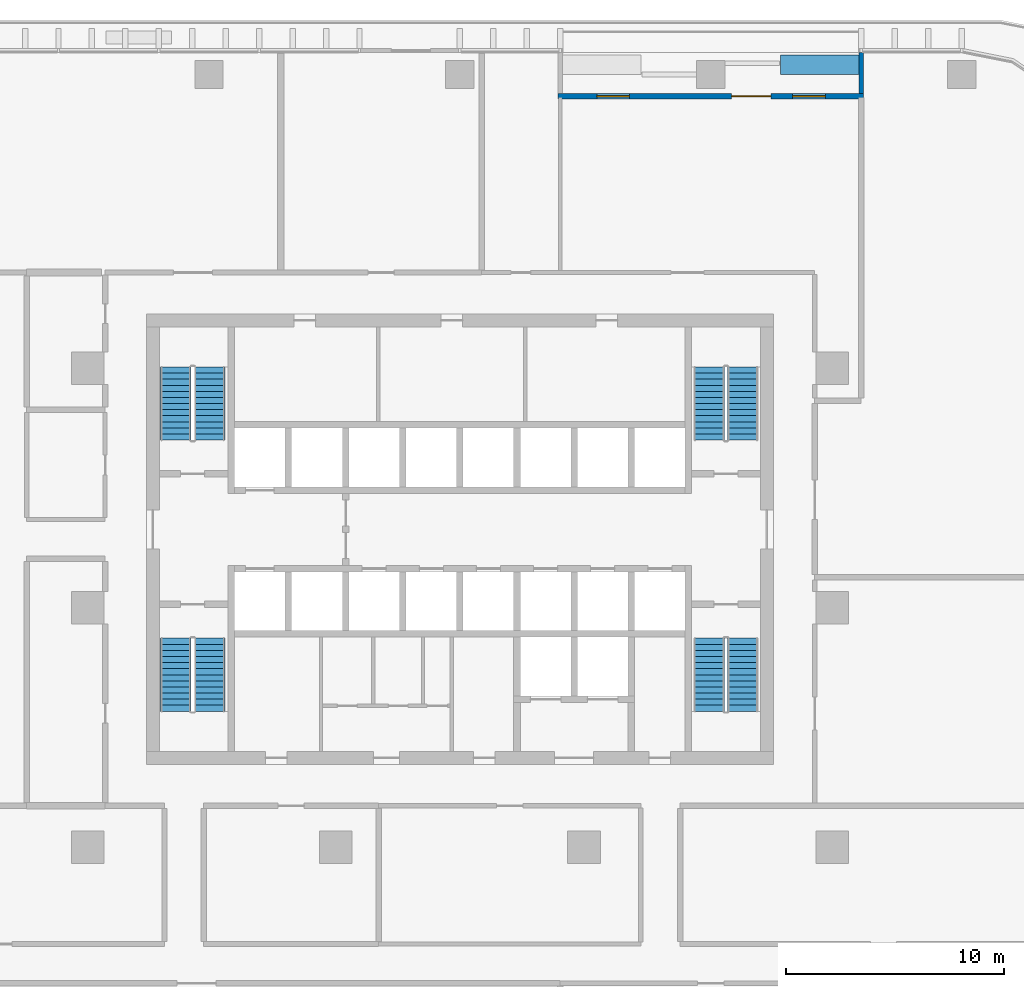
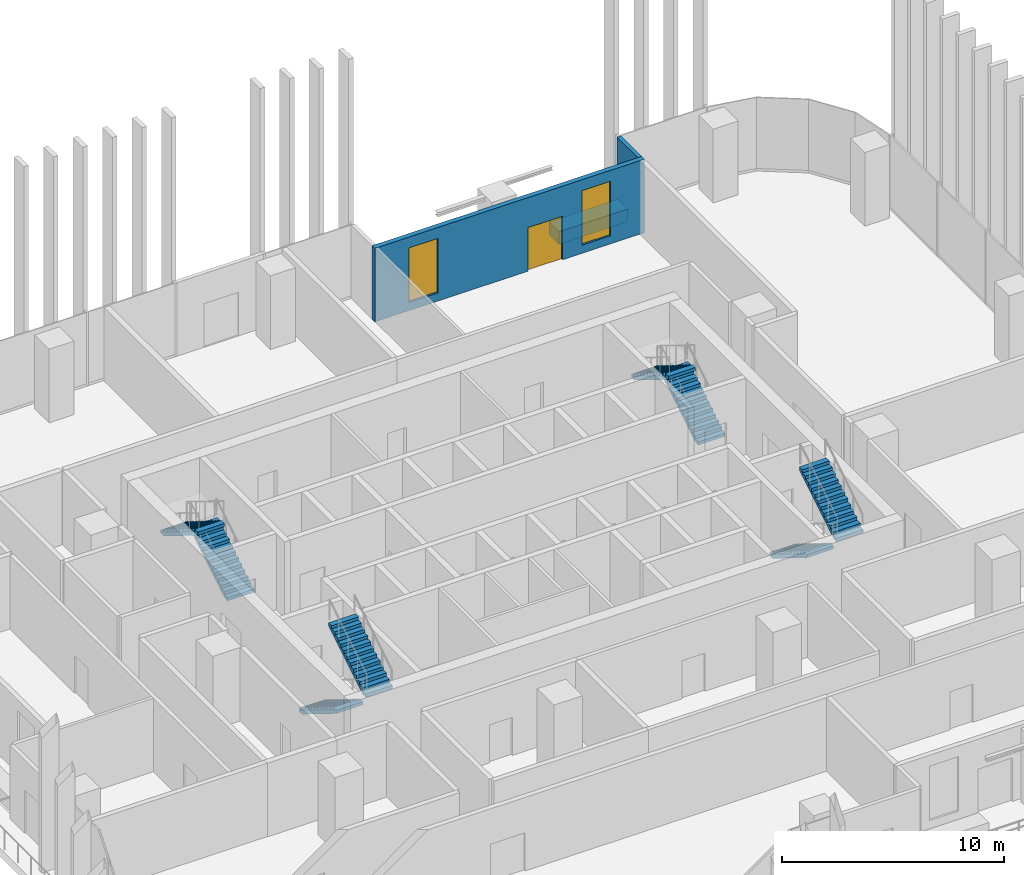
# One storey, part 11 of 18: 8 stair flights, 3 walls, 2 windows, 1 door, 3 openings, 4 elements without a shape of their own.
"""IFC4 building model written with IfcOpenShell, lengths in metres."""

from ifc_helpers import new_model, si_unit, direction, frame, frame_2d, origin, place, context, subcontext, project, spatial, polyline, rectangle, outline, extrude, material, layer, layer_set, type_object, element, fill, aggregate, save


model = new_model("IFC4")

# Units and contexts
model_context = context("Model", 3, precision=1e-05, world=origin(), true_north=direction((0.0, 1.0)))
body_context = subcontext(model_context, "Body", "Model", "MODEL_VIEW")
ifc_project = project(units=[si_unit("LENGTHUNIT", "METRE"), si_unit("AREAUNIT", "SQUARE_METRE"), si_unit("VOLUMEUNIT", "CUBIC_METRE"), si_unit("PLANEANGLEUNIT", "RADIAN"), si_unit("MASSUNIT", "GRAM", prefix="KILO")], contexts=[model_context])

# Site, building, storey
site_placement = place(None, origin())
site = spatial("IfcSite", under=ifc_project, at=site_placement, CompositionType="ELEMENT")
building_placement = place(site_placement, origin())
building = spatial("IfcBuilding", under=site, at=building_placement, Name="Mopane Tessera Tower", CompositionType="ELEMENT")
storey_placement = place(building_placement, frame((0.0, 0.0, 94.60009765625)))
storey = spatial("IfcBuildingStorey", under=building, at=storey_placement, Name="L18", CompositionType="ELEMENT", Elevation=94.60009765625)

# Walls
ifc_material_1 = material(Name="Reinforced concrete C32/40 with waterproofing", Category="concrete")
ifc_layer_1 = layer(ifc_material_1, 0.89990234375)
ifc_layer_set_1 = layer_set([ifc_layer_1], Name="Reinforced concrete C32/40 with waterproofing")
wall_type_1 = type_object("IfcWallType", Name="Planter trough 3600 x 900", PredefinedType="STANDARD", material=ifc_layer_set_1)
wall_1_placement = place(storey_placement, frame((18.340087890625, 24.949951171875, 0.0), z_axis=(0.0, 0.0, 1.0), x_axis=(-1.0, 0.0, 0.0)))
element("IfcWall", 1, at=wall_1_placement, inside=storey, type_object=wall_type_1, Name="e:nw:L18:N1:pl0", PredefinedType="STANDARD", context=body_context, shape_type="SweptSolid", body=[
    extrude(rectangle(XDim=3.60009765625, YDim=0.89990234375, at=frame_2d((1.800048828125, 0.0))), origin(), (0.0, 0.0, 1.0), 0.699951171875),
])
ifc_material_2 = material(Name="Blockwork with glazed tile facing", Category="masonry")
ifc_layer_2 = layer(ifc_material_2, 0.199951171875)
ifc_layer_set_2 = layer_set([ifc_layer_2], Name="Blockwork with glazed tile facing")
wall_type_2 = type_object("IfcWallType", Name="Terrace cheek wall 200", PredefinedType="STANDARD", material=ifc_layer_set_2)
wall_2_placement = place(storey_placement, frame((18.43994140625, 25.5, 0.0), z_axis=(0.0, 0.0, 1.0), x_axis=(0.0, -1.0, 0.0)))
element("IfcWall", 2, at=wall_2_placement, inside=storey, type_object=wall_type_2, Name="e:nw:L18:N1:cheeka", PredefinedType="STANDARD", context=body_context, shape_type="SweptSolid", body=[
    extrude(rectangle(XDim=1.875, YDim=0.199951171875, at=frame_2d((0.9375, 0.0))), origin(), (0.0, 0.0, 1.0), 4.0498046875),
])

# Wall, openings, windows, door
ifc_material_3 = material(Name="Blockwork with turquoise glazed tile facing", Category="masonry")
ifc_layer_3 = layer(ifc_material_3, 0.25)
ifc_layer_set_3 = layer_set([ifc_layer_3], Name="Blockwork with turquoise glazed tile facing")
wall_type_3 = type_object("IfcWallType", Name="Tile-clad external wall 250, turquoise", PredefinedType="STANDARD", material=ifc_layer_set_3)
wall_3_placement = place(storey_placement, frame((18.5400390625, 23.5, 0.0), z_axis=(0.0, 0.0, 1.0), x_axis=(-1.0, 0.0, 0.0)))
wall_3 = element("IfcWall", 3, at=wall_3_placement, inside=storey, type_object=wall_type_3, Name="e:nw:L18:N1:back", PredefinedType="STANDARD", context=body_context, shape_type="SweptSolid", body=[
    extrude(rectangle(XDim=14.030029296875, YDim=0.25, at=frame_2d((7.01513671875, 0.0))), origin(), (0.0, 0.0, 1.0), 4.0498046875),
])
opening_1_placement = place(wall_3_placement, frame((1.75, 0.0, 0.449951171875)))
opening_1 = element("IfcOpeningElement", 4, at=opening_1_placement, cuts=wall_3, Name="Opening NW181A", PredefinedType="OPENING", context=body_context, shape_type="SweptSolid", body=[
    extrude(rectangle(XDim=1.5, YDim=3.0, at=frame_2d((0.75, 1.5))), frame((0.0, 0.136962890625, 0.0), z_axis=(0.0, -1.0, 0.0), x_axis=(1.0, 0.0, 0.0)), (0.0, 0.0, 1.0), 0.27392578125),
])
opening_2_placement = place(wall_3_placement, frame((4.25, 0.0, 0.0)))
opening_2 = element("IfcOpeningElement", 5, at=opening_2_placement, cuts=wall_3, Name="Opening ND181", PredefinedType="OPENING", context=body_context, shape_type="SweptSolid", body=[
    extrude(rectangle(XDim=1.800048828125, YDim=2.39990234375, at=frame_2d((0.89990234375, 1.199951171875))), frame((0.0, 0.136962890625, 0.0), z_axis=(0.0, -1.0, 0.0), x_axis=(1.0, 0.0, 0.0)), (0.0, 0.0, 1.0), 0.27392578125),
])
opening_3_placement = place(wall_3_placement, frame((10.75, 0.0, 0.449951171875)))
opening_3 = element("IfcOpeningElement", 6, at=opening_3_placement, cuts=wall_3, Name="Opening NW181B", PredefinedType="OPENING", context=body_context, shape_type="SweptSolid", body=[
    extrude(rectangle(XDim=1.5, YDim=3.0, at=frame_2d((0.75, 1.5))), frame((0.0, 0.136962890625, 0.0), z_axis=(0.0, -1.0, 0.0), x_axis=(1.0, 0.0, 0.0)), (0.0, 0.0, 1.0), 0.27392578125),
])
ifc_material_4 = material(Name="Clear laminated glass", Category="glass")
window_type = type_object("IfcWindowType", Name="Fixed window 1500 x 3000", PartitioningType="SINGLE_PANEL", PredefinedType="WINDOW", material=ifc_material_4)
window_1_placement = place(opening_1_placement, origin())
window_1 = element("IfcWindow", 7, at=window_1_placement, inside=storey, type_object=window_type, Name="e:nw:L18:N1:win0", OverallHeight=3.0, OverallWidth=1.5, PartitioningType="SINGLE_PANEL", PredefinedType="WINDOW", context=body_context, shape_type="SweptSolid", body=[
    extrude(rectangle(XDim=1.5, YDim=3.0, at=frame_2d((0.75, 1.5))), frame((0.0, 0.030029296875, 0.0), z_axis=(0.0, -1.0, 0.0), x_axis=(1.0, 0.0, 0.0)), (0.0, 0.0, 1.0), 0.06005859375),
])
fill(opening_1, window_1)
window_2_placement = place(opening_3_placement, origin())
window_2 = element("IfcWindow", 8, at=window_2_placement, inside=storey, type_object=window_type, Name="e:nw:L18:N1:win2", OverallHeight=3.0, OverallWidth=1.5, PartitioningType="SINGLE_PANEL", PredefinedType="WINDOW", context=body_context, shape_type="SweptSolid", body=[
    extrude(rectangle(XDim=1.5, YDim=3.0, at=frame_2d((0.75, 1.5))), frame((0.0, 0.030029296875, 0.0), z_axis=(0.0, -1.0, 0.0), x_axis=(1.0, 0.0, 0.0)), (0.0, 0.0, 1.0), 0.06005859375),
])
fill(opening_3, window_2)
ifc_material_5 = material(Name="Aluminium and clear glass", Category="aluminium")
door_type = type_object("IfcDoorType", Name="Terrace double door 1800 x 2400", OperationType="DOUBLE_DOOR_SINGLE_SWING", PredefinedType="DOOR", material=ifc_material_5)
door_placement = place(opening_2_placement, origin())
door = element("IfcDoor", 9, at=door_placement, inside=storey, type_object=door_type, Name="e:nw:L18:N1:door", ObjectType="D1", OperationType="DOUBLE_DOOR_SINGLE_SWING", OverallHeight=2.39990234375, OverallWidth=1.800048828125, PredefinedType="DOOR", context=body_context, shape_type="SweptSolid", body=[
    extrude(rectangle(XDim=1.800048828125, YDim=2.39990234375, at=frame_2d((0.89990234375, 1.199951171875))), frame((0.0, 0.02490234375, 0.0), z_axis=(0.0, -1.0, 0.0), x_axis=(1.0, 0.0, 0.0)), (0.0, 0.0, 1.0), 0.050048828125),
])
fill(opening_2, door)

# Stair, stair flights
ifc_material_6 = material(Name="Concrete C50/60", Category="concrete")
stair_type = type_object("IfcStairType", Name="Escape stair 1400 mm, riser 173 mm", PredefinedType="HALF_TURN_STAIR", material=ifc_material_6)
stair_1_placement = place(storey_placement, origin())
stair_1 = element("IfcStair", 10, at=stair_1_placement, inside=storey, type_object=stair_type, Name="L18 Escape stair south-west", PredefinedType="HALF_TURN_STAIR")
ifc_material_7 = material(Name="Concrete C50/60", Category="concrete")
stair_flight_type = type_object("IfcStairFlightType", Name="Escape stair flight 1400 mm", PredefinedType="STRAIGHT", material=ifc_material_7)
stair_flight_1_placement = place(storey_placement, frame((-13.050048828125, -1.39990234375, 0.0), z_axis=(0.0, 0.0, 1.0), x_axis=(0.0, -1.0, 0.0)))
stair_flight_1 = element("IfcStairFlight", 11, at=stair_flight_1_placement, type_object=stair_flight_type, Name="ST1 flight 1", NumberOfRisers=13, NumberOfTreads=12, PredefinedType="STRAIGHT", RiserHeight=0.173076923, TreadLength=0.28, context=body_context, shape_type="SweptSolid", body=[
    extrude(outline(polyline([(0.0, 0.0), (0.0, 0.173095703125), (0.280029296875, 0.173095703125), (0.280029296875, 0.34619140625), (0.56005859375, 0.34619140625), (0.56005859375, 0.519287109375), (0.840087890625, 0.519287109375), (0.840087890625, 0.6923828125), (1.1201171875, 0.6923828125), (1.1201171875, 0.865478515625), (1.39990234375, 0.865478515625), (1.39990234375, 1.03857421875), (1.679931640625, 1.03857421875), (1.679931640625, 1.21142578125), (1.9599609375, 1.21142578125), (1.9599609375, 1.384521484375), (2.239990234375, 1.384521484375), (2.239990234375, 1.5576171875), (2.52001953125, 1.5576171875), (2.52001953125, 1.730712890625), (2.800048828125, 1.730712890625), (2.800048828125, 1.90380859375), (3.080078125, 1.90380859375), (3.080078125, 2.076904296875), (3.360107421875, 2.076904296875), (3.360107421875, 2.25), (3.360107421875, 1.900634765625), (0.28515625, 0.0), (0.0, 0.0)])), frame((0.0, 0.699951171875, 0.0), z_axis=(0.0, -1.0, 0.0), x_axis=(1.0, 0.0, 0.0)), (0.0, 0.0, 1.0), 1.39990234375),
])
stair_flight_2_placement = place(storey_placement, frame((-11.5, -4.760009765625, 2.25), z_axis=(0.0, 0.0, 1.0), x_axis=(0.0, 1.0, 0.0)))
stair_flight_2 = element("IfcStairFlight", 12, at=stair_flight_2_placement, type_object=stair_flight_type, Name="ST1 flight 2", NumberOfRisers=13, NumberOfTreads=12, PredefinedType="STRAIGHT", RiserHeight=0.173076923, TreadLength=0.28, context=body_context, shape_type="SweptSolid", body=[
    extrude(outline(polyline([(0.0, 0.0), (0.0, 0.173095703125), (0.280029296875, 0.173095703125), (0.280029296875, 0.34619140625), (0.56005859375, 0.34619140625), (0.56005859375, 0.519287109375), (0.840087890625, 0.519287109375), (0.840087890625, 0.6923828125), (1.1201171875, 0.6923828125), (1.1201171875, 0.865478515625), (1.39990234375, 0.865478515625), (1.39990234375, 1.03857421875), (1.679931640625, 1.03857421875), (1.679931640625, 1.21142578125), (1.9599609375, 1.21142578125), (1.9599609375, 1.384521484375), (2.239990234375, 1.384521484375), (2.239990234375, 1.5576171875), (2.52001953125, 1.5576171875), (2.52001953125, 1.730712890625), (2.800048828125, 1.730712890625), (2.800048828125, 1.90380859375), (3.080078125, 1.90380859375), (3.080078125, 2.076904296875), (3.360107421875, 2.076904296875), (3.360107421875, 2.25), (3.360107421875, 1.900634765625), (0.28515625, 0.0), (0.0, 0.0)])), frame((0.0, 0.699951171875, 0.0), z_axis=(0.0, -1.0, 0.0), x_axis=(1.0, 0.0, 0.0)), (0.0, 0.0, 1.0), 1.39990234375),
])
aggregate(stair_1, [stair_flight_1, stair_flight_2])

stair_2_placement = place(storey_placement, origin())
stair_2 = element("IfcStair", 13, at=stair_2_placement, inside=storey, type_object=stair_type, Name="L18 Escape stair north-west", PredefinedType="HALF_TURN_STAIR")
stair_flight_3_placement = place(storey_placement, frame((-11.5, 7.699951171875, 0.0), z_axis=(0.0, 0.0, 1.0), x_axis=(0.0, 1.0, 0.0)))
stair_flight_3 = element("IfcStairFlight", 14, at=stair_flight_3_placement, type_object=stair_flight_type, Name="ST2 flight 1", NumberOfRisers=13, NumberOfTreads=12, PredefinedType="STRAIGHT", RiserHeight=0.173076923, TreadLength=0.28, context=body_context, shape_type="SweptSolid", body=[
    extrude(outline(polyline([(0.0, 0.0), (0.0, 0.173095703125), (0.280029296875, 0.173095703125), (0.280029296875, 0.34619140625), (0.56005859375, 0.34619140625), (0.56005859375, 0.519287109375), (0.840087890625, 0.519287109375), (0.840087890625, 0.6923828125), (1.1201171875, 0.6923828125), (1.1201171875, 0.865478515625), (1.39990234375, 0.865478515625), (1.39990234375, 1.03857421875), (1.679931640625, 1.03857421875), (1.679931640625, 1.21142578125), (1.9599609375, 1.21142578125), (1.9599609375, 1.384521484375), (2.239990234375, 1.384521484375), (2.239990234375, 1.5576171875), (2.52001953125, 1.5576171875), (2.52001953125, 1.730712890625), (2.800048828125, 1.730712890625), (2.800048828125, 1.90380859375), (3.080078125, 1.90380859375), (3.080078125, 2.076904296875), (3.360107421875, 2.076904296875), (3.360107421875, 2.25), (3.360107421875, 1.900634765625), (0.28515625, 0.0), (0.0, 0.0)])), frame((0.0, 0.699951171875, 0.0), z_axis=(0.0, -1.0, 0.0), x_axis=(1.0, 0.0, 0.0)), (0.0, 0.0, 1.0), 1.39990234375),
])
stair_flight_4_placement = place(storey_placement, frame((-13.050048828125, 11.06005859375, 2.25), z_axis=(0.0, 0.0, 1.0), x_axis=(0.0, -1.0, 0.0)))
stair_flight_4 = element("IfcStairFlight", 15, at=stair_flight_4_placement, type_object=stair_flight_type, Name="ST2 flight 2", NumberOfRisers=13, NumberOfTreads=12, PredefinedType="STRAIGHT", RiserHeight=0.173076923, TreadLength=0.28, context=body_context, shape_type="SweptSolid", body=[
    extrude(outline(polyline([(0.0, 0.0), (0.0, 0.173095703125), (0.280029296875, 0.173095703125), (0.280029296875, 0.34619140625), (0.56005859375, 0.34619140625), (0.56005859375, 0.519287109375), (0.840087890625, 0.519287109375), (0.840087890625, 0.6923828125), (1.1201171875, 0.6923828125), (1.1201171875, 0.865478515625), (1.39990234375, 0.865478515625), (1.39990234375, 1.03857421875), (1.679931640625, 1.03857421875), (1.679931640625, 1.21142578125), (1.9599609375, 1.21142578125), (1.9599609375, 1.384521484375), (2.239990234375, 1.384521484375), (2.239990234375, 1.5576171875), (2.52001953125, 1.5576171875), (2.52001953125, 1.730712890625), (2.800048828125, 1.730712890625), (2.800048828125, 1.90380859375), (3.080078125, 1.90380859375), (3.080078125, 2.076904296875), (3.360107421875, 2.076904296875), (3.360107421875, 2.25), (3.360107421875, 1.900634765625), (0.28515625, 0.0), (0.0, 0.0)])), frame((0.0, 0.699951171875, 0.0), z_axis=(0.0, -1.0, 0.0), x_axis=(1.0, 0.0, 0.0)), (0.0, 0.0, 1.0), 1.39990234375),
])
aggregate(stair_2, [stair_flight_3, stair_flight_4])

stair_3_placement = place(storey_placement, origin())
stair_3 = element("IfcStair", 16, at=stair_3_placement, inside=storey, type_object=stair_type, Name="L18 Escape stair south-east", PredefinedType="HALF_TURN_STAIR")
stair_flight_5_placement = place(storey_placement, frame((11.449951171875, -1.39990234375, 0.0), z_axis=(0.0, 0.0, 1.0), x_axis=(0.0, -1.0, 0.0)))
stair_flight_5 = element("IfcStairFlight", 17, at=stair_flight_5_placement, type_object=stair_flight_type, Name="ST3 flight 1", NumberOfRisers=13, NumberOfTreads=12, PredefinedType="STRAIGHT", RiserHeight=0.173076923, TreadLength=0.28, context=body_context, shape_type="SweptSolid", body=[
    extrude(outline(polyline([(0.0, 0.0), (0.0, 0.173095703125), (0.280029296875, 0.173095703125), (0.280029296875, 0.34619140625), (0.56005859375, 0.34619140625), (0.56005859375, 0.519287109375), (0.840087890625, 0.519287109375), (0.840087890625, 0.6923828125), (1.1201171875, 0.6923828125), (1.1201171875, 0.865478515625), (1.39990234375, 0.865478515625), (1.39990234375, 1.03857421875), (1.679931640625, 1.03857421875), (1.679931640625, 1.21142578125), (1.9599609375, 1.21142578125), (1.9599609375, 1.384521484375), (2.239990234375, 1.384521484375), (2.239990234375, 1.5576171875), (2.52001953125, 1.5576171875), (2.52001953125, 1.730712890625), (2.800048828125, 1.730712890625), (2.800048828125, 1.90380859375), (3.080078125, 1.90380859375), (3.080078125, 2.076904296875), (3.360107421875, 2.076904296875), (3.360107421875, 2.25), (3.360107421875, 1.900634765625), (0.28515625, 0.0), (0.0, 0.0)])), frame((0.0, 0.699951171875, 0.0), z_axis=(0.0, -1.0, 0.0), x_axis=(1.0, 0.0, 0.0)), (0.0, 0.0, 1.0), 1.39990234375),
])
stair_flight_6_placement = place(storey_placement, frame((13.0, -4.760009765625, 2.25), z_axis=(0.0, 0.0, 1.0), x_axis=(0.0, 1.0, 0.0)))
stair_flight_6 = element("IfcStairFlight", 18, at=stair_flight_6_placement, type_object=stair_flight_type, Name="ST3 flight 2", NumberOfRisers=13, NumberOfTreads=12, PredefinedType="STRAIGHT", RiserHeight=0.173076923, TreadLength=0.28, context=body_context, shape_type="SweptSolid", body=[
    extrude(outline(polyline([(0.0, 0.0), (0.0, 0.173095703125), (0.280029296875, 0.173095703125), (0.280029296875, 0.34619140625), (0.56005859375, 0.34619140625), (0.56005859375, 0.519287109375), (0.840087890625, 0.519287109375), (0.840087890625, 0.6923828125), (1.1201171875, 0.6923828125), (1.1201171875, 0.865478515625), (1.39990234375, 0.865478515625), (1.39990234375, 1.03857421875), (1.679931640625, 1.03857421875), (1.679931640625, 1.21142578125), (1.9599609375, 1.21142578125), (1.9599609375, 1.384521484375), (2.239990234375, 1.384521484375), (2.239990234375, 1.5576171875), (2.52001953125, 1.5576171875), (2.52001953125, 1.730712890625), (2.800048828125, 1.730712890625), (2.800048828125, 1.90380859375), (3.080078125, 1.90380859375), (3.080078125, 2.076904296875), (3.360107421875, 2.076904296875), (3.360107421875, 2.25), (3.360107421875, 1.900634765625), (0.28515625, 0.0), (0.0, 0.0)])), frame((0.0, 0.699951171875, 0.0), z_axis=(0.0, -1.0, 0.0), x_axis=(1.0, 0.0, 0.0)), (0.0, 0.0, 1.0), 1.39990234375),
])
aggregate(stair_3, [stair_flight_5, stair_flight_6])

stair_4_placement = place(storey_placement, origin())
stair_4 = element("IfcStair", 19, at=stair_4_placement, inside=storey, type_object=stair_type, Name="L18 Escape stair north-east", PredefinedType="HALF_TURN_STAIR")
stair_flight_7_placement = place(storey_placement, frame((13.0, 7.699951171875, 0.0), z_axis=(0.0, 0.0, 1.0), x_axis=(0.0, 1.0, 0.0)))
stair_flight_7 = element("IfcStairFlight", 20, at=stair_flight_7_placement, type_object=stair_flight_type, Name="ST4 flight 1", NumberOfRisers=13, NumberOfTreads=12, PredefinedType="STRAIGHT", RiserHeight=0.173076923, TreadLength=0.28, context=body_context, shape_type="SweptSolid", body=[
    extrude(outline(polyline([(0.0, 0.0), (0.0, 0.173095703125), (0.280029296875, 0.173095703125), (0.280029296875, 0.34619140625), (0.56005859375, 0.34619140625), (0.56005859375, 0.519287109375), (0.840087890625, 0.519287109375), (0.840087890625, 0.6923828125), (1.1201171875, 0.6923828125), (1.1201171875, 0.865478515625), (1.39990234375, 0.865478515625), (1.39990234375, 1.03857421875), (1.679931640625, 1.03857421875), (1.679931640625, 1.21142578125), (1.9599609375, 1.21142578125), (1.9599609375, 1.384521484375), (2.239990234375, 1.384521484375), (2.239990234375, 1.5576171875), (2.52001953125, 1.5576171875), (2.52001953125, 1.730712890625), (2.800048828125, 1.730712890625), (2.800048828125, 1.90380859375), (3.080078125, 1.90380859375), (3.080078125, 2.076904296875), (3.360107421875, 2.076904296875), (3.360107421875, 2.25), (3.360107421875, 1.900634765625), (0.28515625, 0.0), (0.0, 0.0)])), frame((0.0, 0.699951171875, 0.0), z_axis=(0.0, -1.0, 0.0), x_axis=(1.0, 0.0, 0.0)), (0.0, 0.0, 1.0), 1.39990234375),
])
stair_flight_8_placement = place(storey_placement, frame((11.449951171875, 11.06005859375, 2.25), z_axis=(0.0, 0.0, 1.0), x_axis=(0.0, -1.0, 0.0)))
stair_flight_8 = element("IfcStairFlight", 21, at=stair_flight_8_placement, type_object=stair_flight_type, Name="ST4 flight 2", NumberOfRisers=13, NumberOfTreads=12, PredefinedType="STRAIGHT", RiserHeight=0.173076923, TreadLength=0.28, context=body_context, shape_type="SweptSolid", body=[
    extrude(outline(polyline([(0.0, 0.0), (0.0, 0.173095703125), (0.280029296875, 0.173095703125), (0.280029296875, 0.34619140625), (0.56005859375, 0.34619140625), (0.56005859375, 0.519287109375), (0.840087890625, 0.519287109375), (0.840087890625, 0.6923828125), (1.1201171875, 0.6923828125), (1.1201171875, 0.865478515625), (1.39990234375, 0.865478515625), (1.39990234375, 1.03857421875), (1.679931640625, 1.03857421875), (1.679931640625, 1.21142578125), (1.9599609375, 1.21142578125), (1.9599609375, 1.384521484375), (2.239990234375, 1.384521484375), (2.239990234375, 1.5576171875), (2.52001953125, 1.5576171875), (2.52001953125, 1.730712890625), (2.800048828125, 1.730712890625), (2.800048828125, 1.90380859375), (3.080078125, 1.90380859375), (3.080078125, 2.076904296875), (3.360107421875, 2.076904296875), (3.360107421875, 2.25), (3.360107421875, 1.900634765625), (0.28515625, 0.0), (0.0, 0.0)])), frame((0.0, 0.699951171875, 0.0), z_axis=(0.0, -1.0, 0.0), x_axis=(1.0, 0.0, 0.0)), (0.0, 0.0, 1.0), 1.39990234375),
])
aggregate(stair_4, [stair_flight_7, stair_flight_8])

save(model, "model.ifc")
